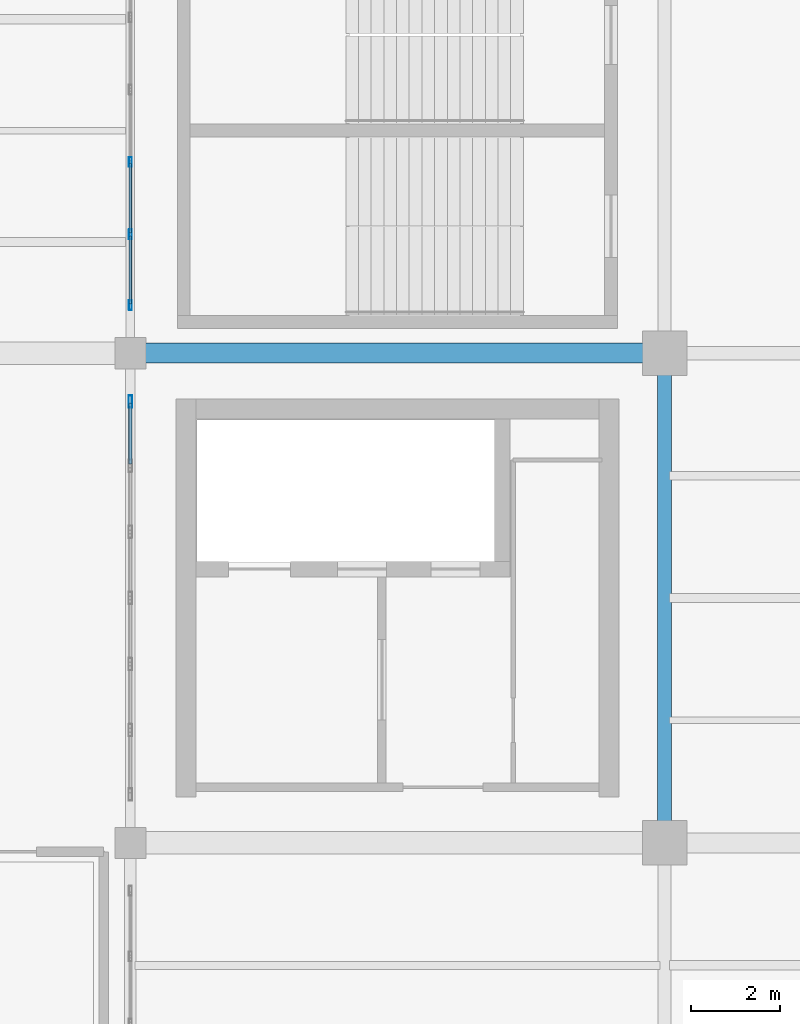
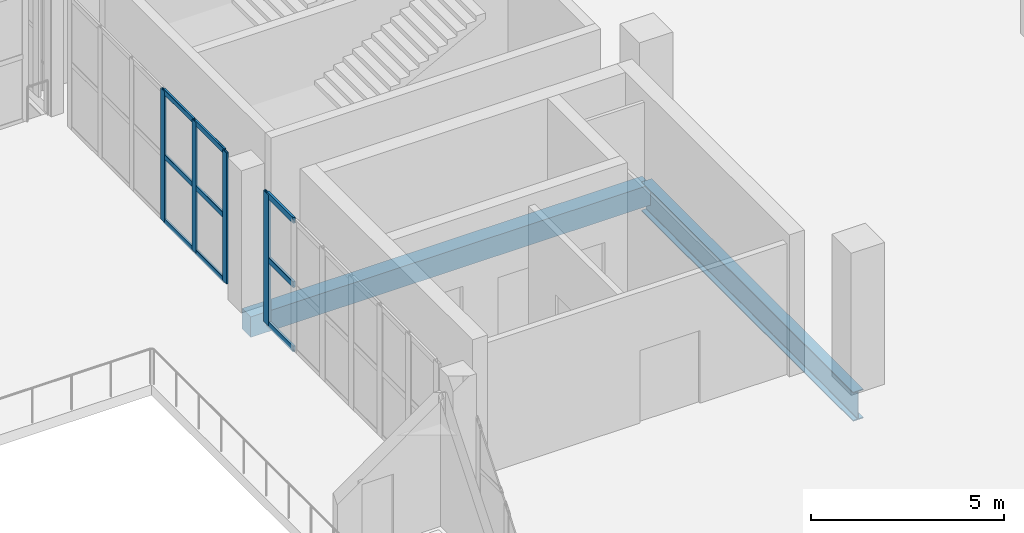
# One storey, part 24 of 108: 13 members, 2 beams, 2 elements without a shape of their own.
"""IFC4 building model written with IfcOpenShell, lengths in metres."""

from ifc_helpers import new_model, si_unit, direction, frame, origin, origin_2d, place, context, subcontext, project, spatial, rectangle, hollow_rectangle, i_section, extrude, material, layer, layer_set, material_profile, profile_set, type_object, element, aggregate, save


model = new_model("IFC4")

# Units and contexts
model_context = context("Model", 3, precision=1e-05, world=origin(), true_north=direction((0.0, 1.0)))
body_context = subcontext(model_context, "Body", "Model", "MODEL_VIEW")
ifc_project = project(units=[si_unit("LENGTHUNIT", "METRE"), si_unit("AREAUNIT", "SQUARE_METRE"), si_unit("VOLUMEUNIT", "CUBIC_METRE"), si_unit("PLANEANGLEUNIT", "RADIAN"), si_unit("MASSUNIT", "GRAM", prefix="KILO")], contexts=[model_context])

# Site, building, storey
site_placement = place(None, origin())
site = spatial("IfcSite", under=ifc_project, at=site_placement, CompositionType="ELEMENT")
building_placement = place(site_placement, origin())
building = spatial("IfcBuilding", under=site, at=building_placement, Name="Brinegate Civic Arena", CompositionType="ELEMENT")
storey_placement = place(building_placement, frame((0.0, 0.0, 10.199951171875)))
storey = spatial("IfcBuildingStorey", under=building, at=storey_placement, Name="L02", CompositionType="ELEMENT", Elevation=10.199951171875)

# Curtain wall, members
ifc_material_1 = material(Name="Marine grade aluminium", Category="aluminium")
ifc_layer = layer(ifc_material_1, 0.199951171875, Name="Marine grade aluminium")
ifc_layer_set = layer_set([ifc_layer], Name="Marine grade aluminium")
curtain_wall_type = type_object("IfcCurtainWallType", Name="CW-BOWL-GLAZED-01", PredefinedType="USERDEFINED", material=ifc_layer_set)
curtain_wall_1_placement = place(storey_placement, origin())
curtain_wall_1 = element("IfcCurtainWall", 1, at=curtain_wall_1_placement, inside=storey, type_object=curtain_wall_type, Name="Curtain Wall CWA-081", ObjectType="GLAZED CURTAIN WALL", PredefinedType="USERDEFINED")
ifc_material_profile_1 = material_profile(ifc_material_1, hollow_rectangle(XDim=0.06494140625, YDim=0.219970703125, WallThickness=0.006103515625, InnerFilletRadius=0.00390625, OuterFilletRadius=0.008056640625, at=origin_2d()), Name="MUL65X220")
ifc_profile_set_1 = profile_set([ifc_material_profile_1], Name="Marine grade aluminium")
member_type_1 = type_object("IfcMemberType", Name="CW-MULLION-65X220", PredefinedType="MULLION", material=ifc_profile_set_1)
member_1_placement = place(storey_placement, frame((48.0, 43.077392578125, 0.0), z_axis=(0.0, 0.0, 1.0), x_axis=(-1.0, 0.0, 0.0)))
member_1 = element("IfcMember", 2, at=member_1_placement, type_object=member_type_1, Name="CWA-081 mullion 1", PredefinedType="MULLION", context=body_context, shape_type="SweptSolid", body=[
    extrude(hollow_rectangle(XDim=0.06494140625, YDim=0.219970703125, WallThickness=0.006103515625, InnerFilletRadius=0.00390625, OuterFilletRadius=0.008056640625, at=origin_2d()), origin(), (0.0, 0.0, 1.0), 4.150146484375),
])
member_2_placement = place(storey_placement, frame((48.0, 44.66943359375, 0.0), z_axis=(0.0, 0.0, 1.0), x_axis=(-1.0, 0.0, 0.0)))
member_2 = element("IfcMember", 3, at=member_2_placement, type_object=member_type_1, Name="CWA-081 mullion 2", PredefinedType="MULLION", context=body_context, shape_type="SweptSolid", body=[
    extrude(hollow_rectangle(XDim=0.06494140625, YDim=0.219970703125, WallThickness=0.006103515625, InnerFilletRadius=0.00390625, OuterFilletRadius=0.008056640625, at=origin_2d()), origin(), (0.0, 0.0, 1.0), 4.150146484375),
])
member_3_placement = place(storey_placement, frame((48.0, 46.293701171875, 0.0), z_axis=(0.0, 0.0, 1.0), x_axis=(-1.0, 0.0, 0.0)))
member_3 = element("IfcMember", 4, at=member_3_placement, type_object=member_type_1, Name="CWA-081 mullion 3", PredefinedType="MULLION", context=body_context, shape_type="SweptSolid", body=[
    extrude(hollow_rectangle(XDim=0.06494140625, YDim=0.219970703125, WallThickness=0.006103515625, InnerFilletRadius=0.00390625, OuterFilletRadius=0.008056640625, at=origin_2d()), origin(), (0.0, 0.0, 1.0), 4.150146484375),
])

# Curtain wall, member
curtain_wall_2_placement = place(storey_placement, origin())
curtain_wall_2 = element("IfcCurtainWall", 5, at=curtain_wall_2_placement, inside=storey, type_object=curtain_wall_type, Name="Curtain Wall CWA-079", ObjectType="GLAZED CURTAIN WALL", PredefinedType="USERDEFINED")
ifc_material_profile_2 = material_profile(ifc_material_1, hollow_rectangle(XDim=0.080078125, YDim=0.280029296875, WallThickness=0.007080078125, InnerFilletRadius=0.0048828125, OuterFilletRadius=0.010009765625, at=origin_2d()), Name="MUL80X280")
ifc_profile_set_2 = profile_set([ifc_material_profile_2], Name="Marine grade aluminium")
member_type_2 = type_object("IfcMemberType", Name="CW-MULLION-80X280", PredefinedType="MULLION", material=ifc_profile_set_2)
member_4_placement = place(storey_placement, frame((48.0, 40.9150390625, 0.0), z_axis=(0.0, 0.0, 1.0), x_axis=(-1.0, 0.0, 0.0)))
member_4 = element("IfcMember", 6, at=member_4_placement, type_object=member_type_2, Name="CWA-079 mullion 7", PredefinedType="MULLION", context=body_context, shape_type="SweptSolid", body=[
    extrude(hollow_rectangle(XDim=0.080078125, YDim=0.280029296875, WallThickness=0.007080078125, InnerFilletRadius=0.0048828125, OuterFilletRadius=0.010009765625, at=origin_2d()), origin(), (0.0, 0.0, 1.0), 4.150146484375),
])

# Member
ifc_material_profile_3 = material_profile(ifc_material_1, hollow_rectangle(XDim=0.06494140625, YDim=0.1650390625, WallThickness=0.0048828125, InnerFilletRadius=0.00390625, OuterFilletRadius=0.008056640625, at=origin_2d()), Name="TRN65X165")
ifc_profile_set_3 = profile_set([ifc_material_profile_3], Name="Marine grade aluminium")
member_type_3 = type_object("IfcMemberType", Name="CW-TRANSOM-65X165", PredefinedType="USERDEFINED", material=ifc_profile_set_3)
member_5_placement = place(storey_placement, frame((48.0, 43.110107421875, 0.032470703125), z_axis=(0.0, 1.0, 0.0), x_axis=(-1.0, 0.0, 0.0)))
member_5 = element("IfcMember", 7, at=member_5_placement, type_object=member_type_3, Name="CWA-081 transom 1.1", ObjectType="TRANSOM", PredefinedType="USERDEFINED", context=body_context, shape_type="SweptSolid", body=[
    extrude(hollow_rectangle(XDim=0.06494140625, YDim=0.1650390625, WallThickness=0.0048828125, InnerFilletRadius=0.00390625, OuterFilletRadius=0.008056640625, at=origin_2d()), origin(), (0.0, 0.0, 1.0), 1.52685546875),
])

member_6_placement = place(storey_placement, frame((48.0, 43.110107421875, 2.074951171875), z_axis=(0.0, 1.0, 0.0), x_axis=(-1.0, 0.0, 0.0)))
member_6 = element("IfcMember", 8, at=member_6_placement, type_object=member_type_3, Name="CWA-081 transom 1.2", ObjectType="TRANSOM", PredefinedType="USERDEFINED", context=body_context, shape_type="SweptSolid", body=[
    extrude(hollow_rectangle(XDim=0.06494140625, YDim=0.1650390625, WallThickness=0.0048828125, InnerFilletRadius=0.00390625, OuterFilletRadius=0.008056640625, at=origin_2d()), origin(), (0.0, 0.0, 1.0), 1.52685546875),
])

member_7_placement = place(storey_placement, frame((48.0, 43.110107421875, 4.117431640625), z_axis=(0.0, 1.0, 0.0), x_axis=(-1.0, 0.0, 0.0)))
member_7 = element("IfcMember", 9, at=member_7_placement, type_object=member_type_3, Name="CWA-081 transom 1.3", ObjectType="TRANSOM", PredefinedType="USERDEFINED", context=body_context, shape_type="SweptSolid", body=[
    extrude(hollow_rectangle(XDim=0.06494140625, YDim=0.1650390625, WallThickness=0.0048828125, InnerFilletRadius=0.00390625, OuterFilletRadius=0.008056640625, at=origin_2d()), origin(), (0.0, 0.0, 1.0), 1.52685546875),
])

member_8_placement = place(storey_placement, frame((48.0, 44.701904296875, 0.032470703125), z_axis=(0.0, 1.0, 0.0), x_axis=(-1.0, 0.0, 0.0)))
member_8 = element("IfcMember", 10, at=member_8_placement, type_object=member_type_3, Name="CWA-081 transom 2.1", ObjectType="TRANSOM", PredefinedType="USERDEFINED", context=body_context, shape_type="SweptSolid", body=[
    extrude(hollow_rectangle(XDim=0.06494140625, YDim=0.1650390625, WallThickness=0.0048828125, InnerFilletRadius=0.00390625, OuterFilletRadius=0.008056640625, at=origin_2d()), origin(), (0.0, 0.0, 1.0), 1.559326171875),
])

member_9_placement = place(storey_placement, frame((48.0, 44.701904296875, 2.074951171875), z_axis=(0.0, 1.0, 0.0), x_axis=(-1.0, 0.0, 0.0)))
member_9 = element("IfcMember", 11, at=member_9_placement, type_object=member_type_3, Name="CWA-081 transom 2.2", ObjectType="TRANSOM", PredefinedType="USERDEFINED", context=body_context, shape_type="SweptSolid", body=[
    extrude(hollow_rectangle(XDim=0.06494140625, YDim=0.1650390625, WallThickness=0.0048828125, InnerFilletRadius=0.00390625, OuterFilletRadius=0.008056640625, at=origin_2d()), origin(), (0.0, 0.0, 1.0), 1.559326171875),
])

member_10_placement = place(storey_placement, frame((48.0, 44.701904296875, 4.117431640625), z_axis=(0.0, 1.0, 0.0), x_axis=(-1.0, 0.0, 0.0)))
member_10 = element("IfcMember", 12, at=member_10_placement, type_object=member_type_3, Name="CWA-081 transom 2.3", ObjectType="TRANSOM", PredefinedType="USERDEFINED", context=body_context, shape_type="SweptSolid", body=[
    extrude(hollow_rectangle(XDim=0.06494140625, YDim=0.1650390625, WallThickness=0.0048828125, InnerFilletRadius=0.00390625, OuterFilletRadius=0.008056640625, at=origin_2d()), origin(), (0.0, 0.0, 1.0), 1.559326171875),
])

aggregate(curtain_wall_1, [member_1, member_2, member_3, member_5, member_6, member_7, member_8, member_9, member_10])

ifc_material_profile_4 = material_profile(ifc_material_1, hollow_rectangle(XDim=0.074951171875, YDim=0.18994140625, WallThickness=0.006103515625, InnerFilletRadius=0.00390625, OuterFilletRadius=0.008056640625, at=origin_2d()), Name="TRN75X190")
ifc_profile_set_4 = profile_set([ifc_material_profile_4], Name="Marine grade aluminium")
member_type_4 = type_object("IfcMemberType", Name="CW-TRANSOM-75X190", PredefinedType="USERDEFINED", material=ifc_profile_set_4)
member_11_placement = place(storey_placement, frame((48.0, 39.510009765625, 0.03759765625), z_axis=(0.0, 1.0, 0.0), x_axis=(-1.0, 0.0, 0.0)))
member_11 = element("IfcMember", 13, at=member_11_placement, type_object=member_type_4, Name="CWA-079 transom 6.1", ObjectType="TRANSOM", PredefinedType="USERDEFINED", context=body_context, shape_type="SweptSolid", body=[
    extrude(hollow_rectangle(XDim=0.074951171875, YDim=0.18994140625, WallThickness=0.006103515625, InnerFilletRadius=0.00390625, OuterFilletRadius=0.008056640625, at=origin_2d()), origin(), (0.0, 0.0, 1.0), 1.364990234375),
])

member_12_placement = place(storey_placement, frame((48.0, 39.510009765625, 2.074951171875), z_axis=(0.0, 1.0, 0.0), x_axis=(-1.0, 0.0, 0.0)))
member_12 = element("IfcMember", 14, at=member_12_placement, type_object=member_type_4, Name="CWA-079 transom 6.2", ObjectType="TRANSOM", PredefinedType="USERDEFINED", context=body_context, shape_type="SweptSolid", body=[
    extrude(hollow_rectangle(XDim=0.074951171875, YDim=0.18994140625, WallThickness=0.006103515625, InnerFilletRadius=0.00390625, OuterFilletRadius=0.008056640625, at=origin_2d()), origin(), (0.0, 0.0, 1.0), 1.364990234375),
])

member_13_placement = place(storey_placement, frame((48.0, 39.510009765625, 4.112548828125), z_axis=(0.0, 1.0, 0.0), x_axis=(-1.0, 0.0, 0.0)))
member_13 = element("IfcMember", 15, at=member_13_placement, type_object=member_type_4, Name="CWA-079 transom 6.3", ObjectType="TRANSOM", PredefinedType="USERDEFINED", context=body_context, shape_type="SweptSolid", body=[
    extrude(hollow_rectangle(XDim=0.074951171875, YDim=0.18994140625, WallThickness=0.006103515625, InnerFilletRadius=0.00390625, OuterFilletRadius=0.008056640625, at=origin_2d()), origin(), (0.0, 0.0, 1.0), 1.364990234375),
])

aggregate(curtain_wall_2, [member_4, member_11, member_12, member_13])

# Beams
ifc_material_2 = material(Name="Steel S355", Category="steel")
ifc_material_profile_5 = material_profile(ifc_material_2, i_section(OverallWidth=0.30810546875, OverallDepth=0.927001953125, WebThickness=0.01904296875, FlangeThickness=0.031982421875, FilletRadius=0.02392578125, at=origin_2d()), Name="W920X289")
ifc_profile_set_5 = profile_set([ifc_material_profile_5], Name="Steel S355")
beam_type_1 = type_object("IfcBeamType", Name="GIRDER-W920X289", PredefinedType="BEAM", material=ifc_profile_set_5)
beam_1_placement = place(storey_placement, frame((60.0, 31.0, -0.79296875), z_axis=(0.0, 1.0, 0.0), x_axis=(-1.0, 0.0, 0.0)))
element("IfcBeam", 16, at=beam_1_placement, inside=storey, type_object=beam_type_1, Name="Floor Girder BM-L02-GY-05-03", PredefinedType="BEAM", context=body_context, shape_type="SweptSolid", body=[
    extrude(i_section(OverallWidth=0.30810546875, OverallDepth=0.927001953125, WebThickness=0.01904296875, FlangeThickness=0.031982421875, FilletRadius=0.02392578125, at=origin_2d()), origin(), (0.0, 0.0, 1.0), 11.0),
])
ifc_material_3 = material(Name="Concrete C50/60", Category="concrete")
ifc_material_profile_6 = material_profile(ifc_material_3, rectangle(XDim=0.449951171875, YDim=0.64990234375, at=origin_2d()), Name="RCB450X650")
ifc_profile_set_6 = profile_set([ifc_material_profile_6], Name="Concrete C50/60")
beam_type_2 = type_object("IfcBeamType", Name="RCG-450X650", PredefinedType="BEAM", material=ifc_profile_set_6)
beam_2_placement = place(storey_placement, frame((48.0, 42.0, -0.655029296875), z_axis=(1.0, 0.0, 0.0), x_axis=(0.0, 1.0, 0.0)))
element("IfcBeam", 17, at=beam_2_placement, inside=storey, type_object=beam_type_2, Name="Floor Girder BM-L02-GX-04-04", PredefinedType="BEAM", context=body_context, shape_type="SweptSolid", body=[
    extrude(rectangle(XDim=0.449951171875, YDim=0.64990234375, at=origin_2d()), origin(), (0.0, 0.0, 1.0), 12.0),
])

save(model, "model.ifc")
